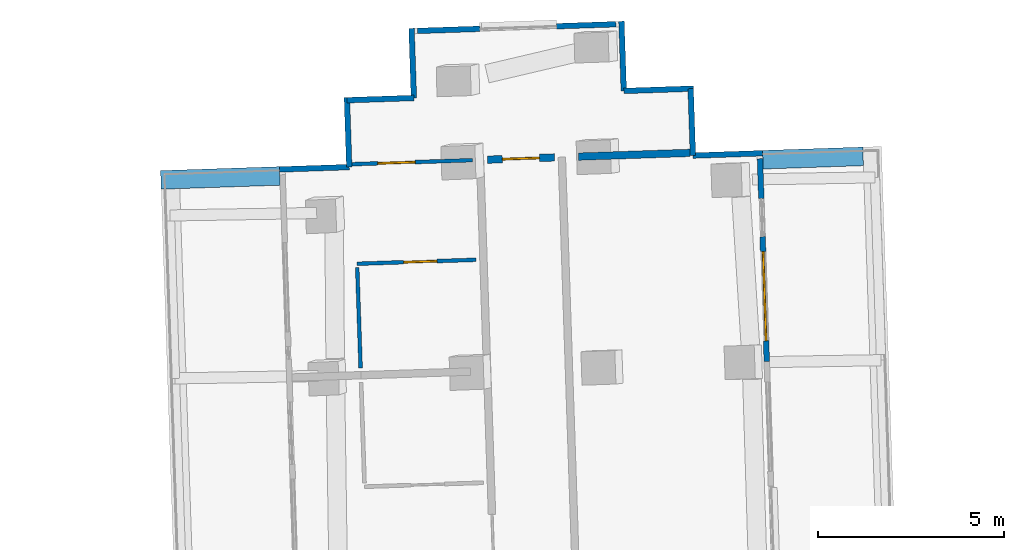
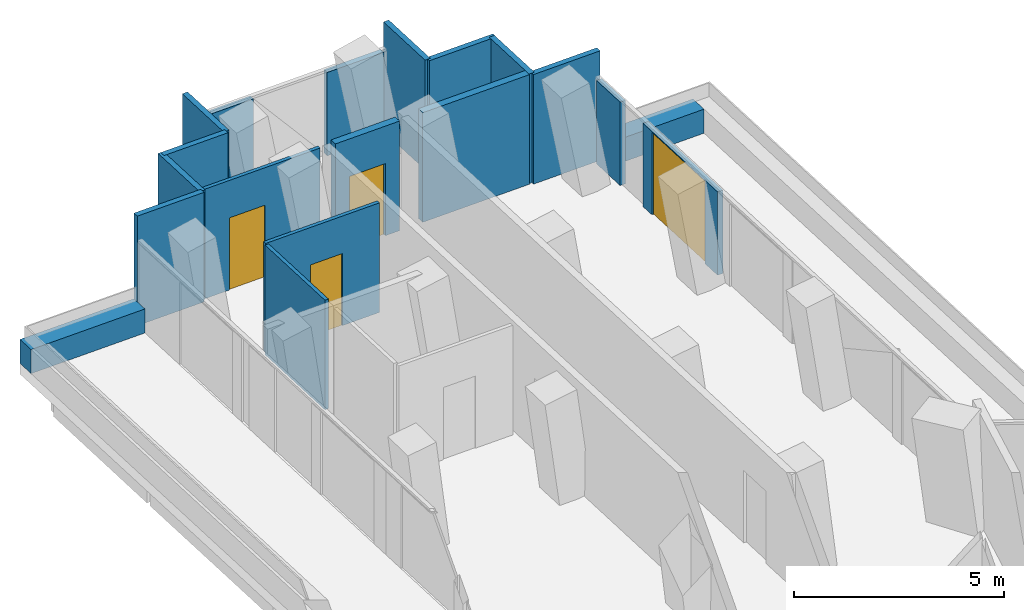
# One storey, part 24 of 27: 19 walls, 4 doors, 4 openings.
"""IFC4 building model written with IfcOpenShell, lengths in metres."""

from ifc_helpers import new_model, si_unit, direction, frame, frame_2d, origin, place, context, subcontext, project, spatial, rectangle, extrude, material, layer, layer_set, type_object, element, fill, save


model = new_model("IFC4")

# Units and contexts
model_context = context("Model", 3, precision=1e-05, world=origin(), true_north=direction((0.0, 1.0)))
body_context = subcontext(model_context, "Body", "Model", "MODEL_VIEW")
ifc_project = project(units=[si_unit("LENGTHUNIT", "METRE"), si_unit("AREAUNIT", "SQUARE_METRE"), si_unit("VOLUMEUNIT", "CUBIC_METRE"), si_unit("PLANEANGLEUNIT", "RADIAN"), si_unit("MASSUNIT", "GRAM", prefix="KILO")], contexts=[model_context])

# Site, building, storey
site_placement = place(None, origin())
site = spatial("IfcSite", under=ifc_project, at=site_placement, CompositionType="ELEMENT")
building_placement = place(site_placement, origin())
building = spatial("IfcBuilding", under=site, at=building_placement, Name="Verdalira Terraces Hotel", CompositionType="ELEMENT")
storey_placement = place(building_placement, frame((0.0, 0.0, 42.5)))
storey = spatial("IfcBuildingStorey", under=building, at=storey_placement, Name="L08", CompositionType="ELEMENT", Elevation=42.5)

# Walls
ifc_material_1 = material(Name="Concrete C40", Category="concrete")
ifc_layer_1 = layer(ifc_material_1, 0.5)
ifc_layer_set_1 = layer_set([ifc_layer_1], Name="Balcony planter trough with tree")
wall_type_1 = type_object("IfcWallType", Name="Balcony planter trough with tree", PredefinedType="SOLIDWALL", material=ifc_layer_set_1)
wall_1_placement = place(storey_placement, frame((-7.872803, 40.810303, 0.0), z_axis=(0.0, 0.0, 1.0), x_axis=(-0.999438536, -0.033505423, 0.0)))
element("IfcWall", 1, at=wall_1_placement, inside=storey, type_object=wall_type_1, Name="Balcony planter", PredefinedType="SOLIDWALL", context=body_context, shape_type="SweptSolid", body=[
    extrude(rectangle(XDim=3.19873, YDim=0.5, at=frame_2d((1.599365, 0.0))), origin(), (0.0, 0.0, 1.0), 0.699951),
])
wall_2_placement = place(storey_placement, frame((7.819336, 41.336426, 0.0), z_axis=(0.0, 0.0, 1.0), x_axis=(-0.999439674, -0.033471459, 0.0)))
element("IfcWall", 2, at=wall_2_placement, inside=storey, type_object=wall_type_1, Name="Balcony planter", PredefinedType="SOLIDWALL", context=body_context, shape_type="SweptSolid", body=[
    extrude(rectangle(XDim=2.69873, YDim=0.5, at=frame_2d((1.349365, 0.0))), origin(), (0.0, 0.0, 1.0), 0.699951),
])
ifc_material_2 = material(Name="Moisture-resistant gypsum board partition")
ifc_layer_2 = layer(ifc_material_2, 0.10009765625)
ifc_layer_set_2 = layer_set([ifc_layer_2], Name="Bathroom partition 100 mm")
wall_type_2 = type_object("IfcWallType", Name="Bathroom partition 100 mm", PredefinedType="PARTITIONING", material=ifc_layer_set_2)
wall_3_placement = place(storey_placement, frame((-5.788086, 38.3479, 0.0), z_axis=(0.0, 0.0, 1.0), x_axis=(0.033546656, -0.999437153, 0.0)))
element("IfcWall", 3, at=wall_3_placement, inside=storey, type_object=wall_type_2, Name="Bathroom partition", PredefinedType="PARTITIONING", context=body_context, shape_type="SweptSolid", body=[
    extrude(rectangle(XDim=2.699951, YDim=0.100098, at=frame_2d((1.350098, 0.0))), origin(), (0.0, 0.0, 1.0), 3.189941),
])

# Wall, opening, door
wall_4_placement = place(storey_placement, frame((-2.683105, 41.234619, 0.0), z_axis=(0.0, 0.0, 1.0), x_axis=(-0.999436711, -0.033559811, 0.0)))
wall_4 = element("IfcWall", 4, at=wall_4_placement, inside=storey, type_object=wall_type_2, Name="Bathroom partition", PredefinedType="PARTITIONING", context=body_context, shape_type="SweptSolid", body=[
    extrude(rectangle(XDim=3.251953, YDim=0.100098, at=frame_2d((1.625977, 0.0))), origin(), (0.0, 0.0, 1.0), 3.189941),
])
opening_1_placement = place(wall_4_placement, frame((1.550049, 0.0, 0.0)))
opening_1 = element("IfcOpeningElement", 5, at=opening_1_placement, cuts=wall_4, Name="Opening L08-104", PredefinedType="OPENING", context=body_context, shape_type="SweptSolid", body=[
    extrude(rectangle(XDim=1.0, YDim=2.100098, at=frame_2d((0.5, 1.050049))), frame((0.0, 0.060059, 0.0), z_axis=(0.0, -1.0, 0.0), x_axis=(1.0, 0.0, 0.0)), (0.0, 0.0, 1.0), 0.120117),
])
ifc_material_3 = material(Name="Timber door", Category="wood")
door_type_1 = type_object("IfcDoorType", Name="Suite internal door 1000 x 2100", OperationType="NOTDEFINED", PredefinedType="DOOR", material=ifc_material_3)
door_1_placement = place(opening_1_placement, origin())
door_1 = element("IfcDoor", 6, at=door_1_placement, inside=storey, type_object=door_type_1, Name="Suite internal door 0802", OperationType="SINGLE_SWING_LEFT", OverallHeight=2.10009765625, OverallWidth=1.0, PredefinedType="DOOR", context=body_context, shape_type="SweptSolid", body=[
    extrude(rectangle(XDim=1.0, YDim=2.100098, at=frame_2d((0.5, 1.050049))), frame((0.0, 0.024902, 0.0), z_axis=(0.0, -1.0, 0.0), x_axis=(1.0, 0.0, 0.0)), (0.0, 0.0, 1.0), 0.050049),
])
fill(opening_1, door_1)

wall_5_placement = place(storey_placement, frame((-2.593262, 38.554932, 0.0), z_axis=(0.0, 0.0, 1.0), x_axis=(-0.999438964, -0.033492649, 0.0)))
wall_5 = element("IfcWall", 7, at=wall_5_placement, inside=storey, type_object=wall_type_2, Name="Bathroom partition", PredefinedType="PARTITIONING", context=body_context, shape_type="SweptSolid", body=[
    extrude(rectangle(XDim=3.199951, YDim=0.100098, at=frame_2d((1.600098, 0.0))), origin(), (0.0, 0.0, 1.0), 3.189941),
])
opening_2_placement = place(wall_5_placement, frame((1.050049, 0.0, 0.0)))
opening_2 = element("IfcOpeningElement", 8, at=opening_2_placement, cuts=wall_5, Name="Opening L08-105", PredefinedType="OPENING", context=body_context, shape_type="SweptSolid", body=[
    extrude(rectangle(XDim=0.899902, YDim=2.100098, at=frame_2d((0.449951, 1.050049))), frame((0.0, 0.060059, 0.0), z_axis=(0.0, -1.0, 0.0), x_axis=(1.0, 0.0, 0.0)), (0.0, 0.0, 1.0), 0.120117),
])
ifc_material_4 = material(Name="Timber door", Category="wood")
door_type_2 = type_object("IfcDoorType", Name="Bathroom door 900 x 2100", OperationType="NOTDEFINED", PredefinedType="DOOR", material=ifc_material_4)
door_2_placement = place(opening_2_placement, origin())
door_2 = element("IfcDoor", 9, at=door_2_placement, inside=storey, type_object=door_type_2, Name="Bathroom door 0802", OperationType="SINGLE_SWING_RIGHT", OverallHeight=2.10009765625, OverallWidth=0.89990234375, PredefinedType="DOOR", context=body_context, shape_type="SweptSolid", body=[
    extrude(rectangle(XDim=0.899902, YDim=2.100098, at=frame_2d((0.449951, 1.050049))), frame((0.0, 0.024902, 0.0), z_axis=(0.0, -1.0, 0.0), x_axis=(1.0, 0.0, 0.0)), (0.0, 0.0, 1.0), 0.050049),
])
fill(opening_2, door_2)

# Wall
ifc_material_5 = material(Name="Fire-rated gypsum board wall")
ifc_layer_3 = layer(ifc_material_5, 0.199951171875)
ifc_layer_set_3 = layer_set([ifc_layer_3], Name="Demising wall 200 mm")
wall_type_3 = type_object("IfcWallType", Name="Demising wall 200 mm", PredefinedType="SOLIDWALL", material=ifc_layer_set_3)
wall_6_placement = place(storey_placement, frame((0.162598, 41.329834, 0.0), z_axis=(0.0, 0.0, 1.0), x_axis=(0.999436852, 0.033555599, 0.0)))
element("IfcWall", 10, at=wall_6_placement, inside=storey, type_object=wall_type_3, Name="Demising wall", PredefinedType="SOLIDWALL", context=body_context, shape_type="SweptSolid", body=[
    extrude(rectangle(XDim=3.004883, YDim=0.199951, at=frame_2d((1.502441, 0.0))), origin(), (0.0, 0.0, 1.0), 3.189941),
])

# Wall, opening, door
ifc_material_6 = material(Name="Fire-rated gypsum board wall")
ifc_layer_4 = layer(ifc_material_6, 0.199951171875)
ifc_layer_set_4 = layer_set([ifc_layer_4], Name="Guest corridor wall 200 mm")
wall_type_4 = type_object("IfcWallType", Name="Guest corridor wall 200 mm", PredefinedType="SOLIDWALL", material=ifc_layer_set_4)
wall_7_placement = place(storey_placement, frame((-2.2854, 41.247803, 0.0), z_axis=(0.0, 0.0, 1.0), x_axis=(0.999439934, 0.033463693, 0.0)))
wall_7 = element("IfcWall", 11, at=wall_7_placement, inside=storey, type_object=wall_type_4, Name="Guest corridor wall", PredefinedType="SOLIDWALL", context=body_context, shape_type="SweptSolid", body=[
    extrude(rectangle(XDim=1.802002, YDim=0.199951, at=frame_2d((0.900879, 0.0))), origin(), (0.0, 0.0, 1.0), 3.189941),
])
opening_3_placement = place(wall_7_placement, frame((0.399902, 0.0, 0.0)))
opening_3 = element("IfcOpeningElement", 12, at=opening_3_placement, cuts=wall_7, Name="Opening L08-103", PredefinedType="OPENING", context=body_context, shape_type="SweptSolid", body=[
    extrude(rectangle(XDim=1.0, YDim=2.100098, at=frame_2d((0.5, 1.050049))), frame((0.0, 0.109863, 0.0), z_axis=(0.0, -1.0, 0.0), x_axis=(1.0, 0.0, 0.0)), (0.0, 0.0, 1.0), 0.219971),
])
ifc_material_7 = material(Name="Timber fire door", Category="wood")
door_type_3 = type_object("IfcDoorType", Name="Guest entry door 1000 x 2100", OperationType="NOTDEFINED", PredefinedType="DOOR", material=ifc_material_7)
door_3_placement = place(opening_3_placement, origin())
door_3 = element("IfcDoor", 13, at=door_3_placement, inside=storey, type_object=door_type_3, Name="Guest entry door 0802", OperationType="SINGLE_SWING_LEFT", OverallHeight=2.10009765625, OverallWidth=1.0, PredefinedType="DOOR", context=body_context, shape_type="SweptSolid", body=[
    extrude(rectangle(XDim=1.0, YDim=2.100098, at=frame_2d((0.5, 1.050049))), frame((0.0, 0.024902, 0.0), z_axis=(0.0, -1.0, 0.0), x_axis=(1.0, 0.0, 0.0)), (0.0, 0.0, 1.0), 0.050049),
])
fill(opening_3, door_3)

# Walls
ifc_material_8 = material(Name="Terracotta cladding", Category="masonry")
ifc_layer_5 = layer(ifc_material_8, 0.14990234375)
ifc_layer_set_5 = layer_set([ifc_layer_5], Name="Terracotta clad wall 150")
wall_type_5 = type_object("IfcWallType", Name="Terracotta clad wall 150", PredefinedType="SOLIDWALL", material=ifc_layer_set_5)
wall_8_placement = place(storey_placement, frame((5.11499, 41.420898, 0.0), z_axis=(0.0, 0.0, 1.0), x_axis=(-0.999439837, -0.033466585, 0.0)))
element("IfcWall", 14, at=wall_8_placement, inside=storey, type_object=wall_type_5, Name="Terracotta cladding wall", PredefinedType="SOLIDWALL", context=body_context, shape_type="SweptSolid", body=[
    extrude(rectangle(XDim=1.874756, YDim=0.149902, at=frame_2d((0.9375, 0.0))), origin(), (0.0, 0.0, 1.0), 3.189941),
])
wall_9_placement = place(storey_placement, frame((3.241211, 41.358154, 0.0), z_axis=(0.0, 0.0, 1.0), x_axis=(-0.033504523, 0.999438566, 0.0)))
element("IfcWall", 15, at=wall_9_placement, inside=storey, type_object=wall_type_5, Name="Terracotta cladding wall", PredefinedType="SOLIDWALL", context=body_context, shape_type="SweptSolid", body=[
    extrude(rectangle(XDim=1.799805, YDim=0.149902, at=frame_2d((0.899902, 0.0))), origin(), (0.0, 0.0, 1.0), 3.189941),
])
for number, where, z_axis, x_axis, name in (
    (16, (3.255859, 43.159668, 0.0), (0.0, 0.0, 1.0), (-0.99943562, -0.033592286, 0.0), "Terracotta cladding wall"),
    (17, (1.381836, 43.09668, 0.0), (0.0, 0.0, 1.0), (-0.03346223, 0.999439983, 0.0), "Terracotta cladding wall"),
    (18, (-4.327881, 44.781494, 0.0), (0.0, 0.0, 1.0), (0.033592286, -0.99943562, 0.0), "Terracotta cladding wall"),
):
    element("IfcWall", number, at=place(storey_placement, frame(where, z_axis=z_axis, x_axis=x_axis)), inside=storey, type_object=wall_type_5, Name=name, PredefinedType="SOLIDWALL", context=body_context, shape_type="SweptSolid", body=[
        extrude(rectangle(XDim=1.875, YDim=0.149902, at=frame_2d((0.9375, 0.0))), origin(), (0.0, 0.0, 1.0), 3.189941),
    ])
wall_10_placement = place(storey_placement, frame((-4.264893, 42.907471, 0.0), z_axis=(0.0, 0.0, 1.0), x_axis=(-0.999438718, -0.033499981, 0.0)))
element("IfcWall", 19, at=wall_10_placement, inside=storey, type_object=wall_type_5, Name="Terracotta cladding wall", PredefinedType="SOLIDWALL", context=body_context, shape_type="SweptSolid", body=[
    extrude(rectangle(XDim=1.800049, YDim=0.149902, at=frame_2d((0.899902, 0.0))), origin(), (0.0, 0.0, 1.0), 3.189941),
])
for number, where, z_axis, x_axis, name in (
    (20, (-6.066406, 42.922119, 0.0), (0.0, 0.0, 1.0), (0.03346223, -0.999439983, 0.0), "Terracotta cladding wall"),
    (21, (-6.003662, 41.048096, 0.0), (0.0, 0.0, 1.0), (-0.999439983, -0.03346223, 0.0), "Terracotta cladding wall"),
):
    element("IfcWall", number, at=place(storey_placement, frame(where, z_axis=z_axis, x_axis=x_axis)), inside=storey, type_object=wall_type_5, Name=name, PredefinedType="SOLIDWALL", context=body_context, shape_type="SweptSolid", body=[
        extrude(rectangle(XDim=1.875, YDim=0.149902, at=frame_2d((0.9375, 0.0))), origin(), (0.0, 0.0, 1.0), 3.189941),
    ])
ifc_material_9 = material(Name="Terracotta cladding", Category="masonry")
ifc_layer_6 = layer(ifc_material_9, 0.14990234375)
ifc_layer_set_6 = layer_set([ifc_layer_6], Name="Terracotta column pier 150")
wall_type_6 = type_object("IfcWallType", Name="Terracotta column pier 150", PredefinedType="SOLIDWALL", material=ifc_layer_set_6)
wall_11_placement = place(storey_placement, frame((5.080811, 40.20459, 0.0), z_axis=(0.0, 0.0, 1.0), x_axis=(-0.033558064, 0.99943677, 0.0)))
element("IfcWall", 22, at=wall_11_placement, inside=storey, type_object=wall_type_6, Name="Terracotta column pier", PredefinedType="SOLIDWALL", context=body_context, shape_type="SweptSolid", body=[
    extrude(rectangle(XDim=1.069336, YDim=0.149902, at=frame_2d((0.534668, 0.0))), origin(), (0.0, 0.0, 1.0), 2.425049),
])
wall_12_placement = place(storey_placement, frame((1.166748, 44.890625, 0.0), z_axis=(0.0, 0.0, 1.0), x_axis=(-0.999437403, -0.033539196, 0.0)))
element("IfcWall", 23, at=wall_12_placement, inside=storey, type_object=wall_type_6, Name="Terracotta column pier", PredefinedType="SOLIDWALL", context=body_context, shape_type="SweptSolid", body=[
    extrude(rectangle(XDim=1.594238, YDim=0.149902, at=frame_2d((0.797119, 0.0))), origin(), (0.0, 0.0, 1.0), 2.425049),
])
wall_13_placement = place(storey_placement, frame((-2.491211, 44.767822, 0.0), z_axis=(0.0, 0.0, 1.0), x_axis=(-0.999441353, -0.033421272, 0.0)))
element("IfcWall", 24, at=wall_13_placement, inside=storey, type_object=wall_type_6, Name="Terracotta column pier", PredefinedType="SOLIDWALL", context=body_context, shape_type="SweptSolid", body=[
    extrude(rectangle(XDim=1.680176, YDim=0.149902, at=frame_2d((0.840088, 0.0))), origin(), (0.0, 0.0, 1.0), 2.425049),
])

# Wall, opening, door
ifc_material_10 = material(Name="Terracotta cladding", Category="masonry")
ifc_layer_7 = layer(ifc_material_10, 0.14990234375)
ifc_layer_set_7 = layer_set([ifc_layer_7], Name="Terracotta door pier 150")
wall_type_7 = type_object("IfcWallType", Name="Terracotta door pier 150", PredefinedType="SOLIDWALL", material=ifc_layer_set_7)
wall_14_placement = place(storey_placement, frame((5.228027, 35.81543, 0.0), z_axis=(0.0, 0.0, 1.0), x_axis=(-0.033486551, 0.999439168, 0.0)))
wall_14 = element("IfcWall", 25, at=wall_14_placement, inside=storey, type_object=wall_type_7, Name="Terracotta door pier", PredefinedType="SOLIDWALL", context=body_context, shape_type="SweptSolid", body=[
    extrude(rectangle(XDim=3.361084, YDim=0.149902, at=frame_2d((1.680664, 0.0))), origin(), (0.0, 0.0, 1.0), 2.425049),
])
opening_4_placement = place(wall_14_placement, frame((0.561035, 0.0, 0.0)))
opening_4 = element("IfcOpeningElement", 26, at=opening_4_placement, cuts=wall_14, Name="Opening L08-B03", PredefinedType="OPENING", context=body_context, shape_type="SweptSolid", body=[
    extrude(rectangle(XDim=2.399902, YDim=2.399902, at=frame_2d((1.199951, 1.199951))), frame((0.0, 0.084961, 0.0), z_axis=(0.0, -1.0, 0.0), x_axis=(1.0, 0.0, 0.0)), (0.0, 0.0, 1.0), 0.169922),
])
ifc_material_11 = material(Name="Clear glass", Category="glass")
door_type_4 = type_object("IfcDoorType", Name="Balcony sliding door 2400x2400", OperationType="NOTDEFINED", PredefinedType="DOOR", material=ifc_material_11)
door_4_placement = place(opening_4_placement, origin())
door_4 = element("IfcDoor", 27, at=door_4_placement, inside=storey, type_object=door_type_4, Name="Balcony sliding door", OperationType="SLIDING_TO_LEFT", OverallHeight=2.39990234375, OverallWidth=2.39990234375, PredefinedType="DOOR", context=body_context, shape_type="SweptSolid", body=[
    extrude(rectangle(XDim=2.399902, YDim=2.399902, at=frame_2d((1.199951, 1.199951))), frame((0.0, 0.024902, 0.0), z_axis=(0.0, -1.0, 0.0), x_axis=(1.0, 0.0, 0.0)), (0.0, 0.0, 1.0), 0.050049),
])
fill(opening_4, door_4)

save(model, "model.ifc")
